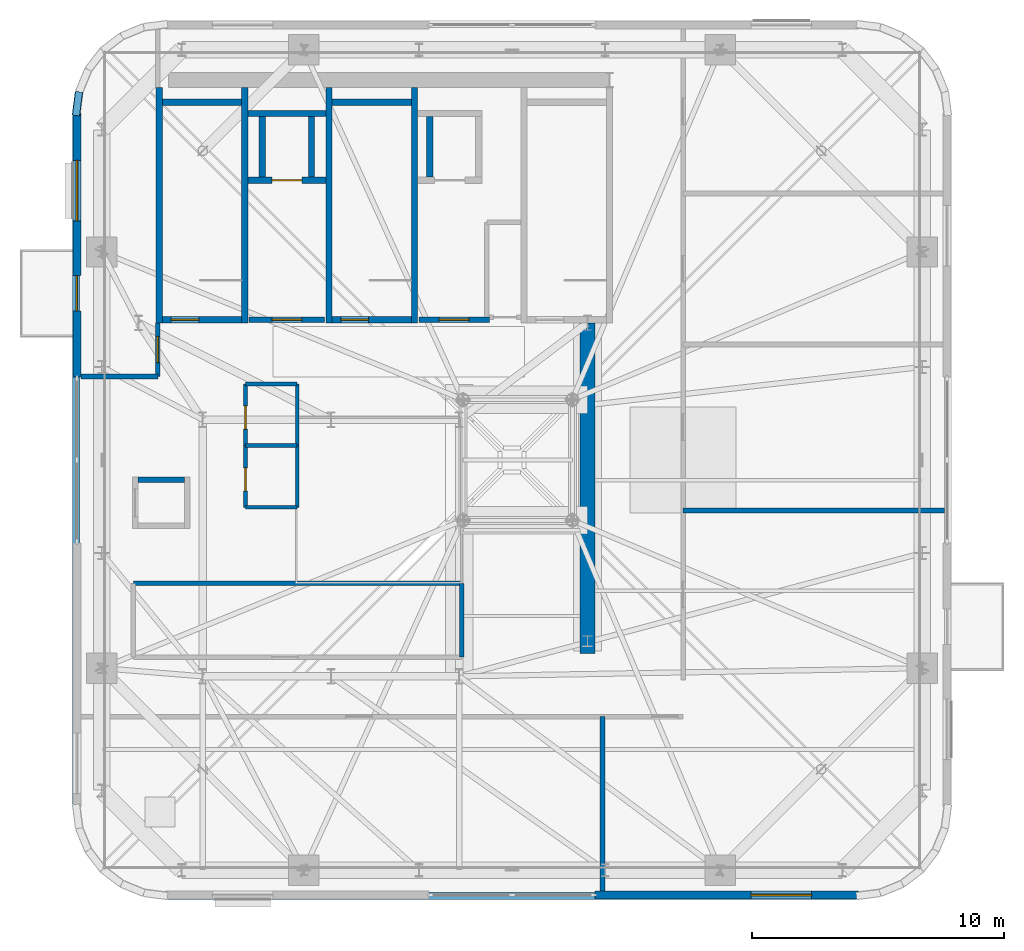
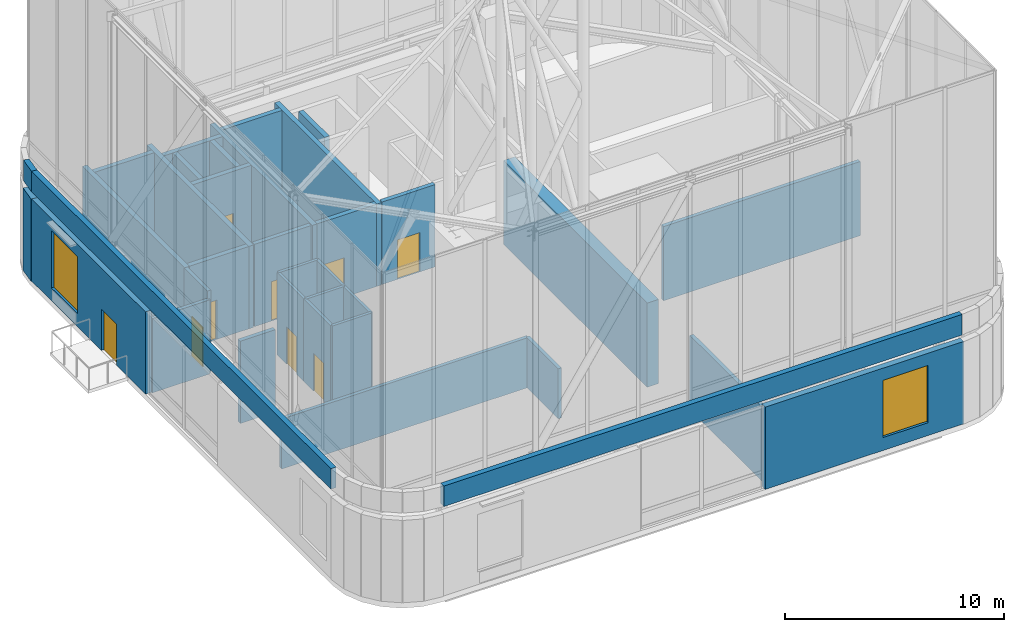
# One storey, part 12 of 15: 36 walls, 9 doors, 2 windows, 11 openings.
"""IFC4 building model written with IfcOpenShell, lengths in metres."""

from ifc_helpers import new_model, si_unit, direction, frame, frame_2d, origin, place, context, subcontext, project, spatial, rectangle, extrude, source, transform, mapped, material, layer, layer_set, type_object, element, fill, save


model = new_model("IFC4")

# Units and contexts
model_context = context("Model", 3, precision=1e-05, world=origin(), true_north=direction((0.0, 1.0)))
body_context = subcontext(model_context, "Body", "Model", "MODEL_VIEW")
ifc_project = project(units=[si_unit("LENGTHUNIT", "METRE"), si_unit("AREAUNIT", "SQUARE_METRE"), si_unit("VOLUMEUNIT", "CUBIC_METRE"), si_unit("PLANEANGLEUNIT", "RADIAN"), si_unit("MASSUNIT", "GRAM", prefix="KILO")], contexts=[model_context])

# Site, building, storey
site_placement = place(None, origin())
site = spatial("IfcSite", under=ifc_project, at=site_placement, CompositionType="ELEMENT")
building_placement = place(site_placement, origin())
building = spatial("IfcBuilding", under=site, at=building_placement, Name="Vardaveli Station Tower", CompositionType="ELEMENT")
storey_placement = place(building_placement, frame((0.0, 0.0, 301.14990234375)))
storey = spatial("IfcBuildingStorey", under=building, at=storey_placement, Name="L76", CompositionType="ELEMENT", Elevation=301.14990234375)

# Wall
ifc_material_1 = material(Name="Concrete C50/60", Category="concrete")
ifc_layer_1 = layer(ifc_material_1, 0.60009765625, Name="Concrete C50/60")
ifc_layer_set_1 = layer_set([ifc_layer_1], Name="Concrete C50/60")
wall_type_1 = type_object("IfcWallType", Name="WAL-CORE-600", PredefinedType="SHEAR", material=ifc_layer_set_1)
shared_shape_1 = source(origin(), body_context, "Body", "SweptSolid", [
    extrude(rectangle(XDim=13.14990234375, YDim=0.60009765625, at=frame_2d((6.574951171875, 0.0))), origin(), (0.0, 0.0, 1.0), 4.7001953125),
])
wall_1_placement = place(storey_placement, frame((46.5, 17.5, 0.0), z_axis=(0.0, 0.0, 1.0), x_axis=(0.0, 1.0, 0.0)))
element("IfcWall", 1, at=wall_1_placement, inside=storey, type_object=wall_type_1, Name="SW-L76-EAST2", PredefinedType="SHEAR", context=body_context, shape_type="MappedRepresentation", body=[
    mapped(shared_shape_1, transform((0.0, 0.0, 0.0), scale=1.0)),
])

# Wall, opening, window
ifc_material_2 = material(Name="Precast concrete C45/55", Category="concrete")
ifc_layer_2 = layer(ifc_material_2, 0.320068359375, Name="Precast concrete C45/55")
ifc_layer_set_2 = layer_set([ifc_layer_2], Name="Precast concrete C45/55")
wall_type_2 = type_object("IfcWallType", Name="WAL-EXT-STONE-320", PredefinedType="SOLIDWALL", material=ifc_layer_set_2)
shared_shape_2 = source(origin(), body_context, "Body", "SweptSolid", [
    extrude(rectangle(XDim=10.492919921875, YDim=0.320068359375, at=frame_2d((5.24658203125, 0.0))), origin(), (0.0, 0.0, 1.0), 4.60009765625),
])
wall_2_placement = place(storey_placement, frame((46.800048828125, 7.89990234375, 0.0), z_axis=(0.0, 0.0, 1.0), x_axis=(1.0, 0.0, 0.0)))
wall_2 = element("IfcWall", 2, at=wall_2_placement, inside=storey, type_object=wall_type_2, Name="EW-L76-S2", PredefinedType="SOLIDWALL", context=body_context, shape_type="MappedRepresentation", body=[
    mapped(shared_shape_2, transform((0.0, 0.0, 0.0), scale=1.0)),
])
shared_shape_3 = source(origin(), body_context, "Body", "SweptSolid", [
    extrude(rectangle(XDim=2.39990234375, YDim=3.199951171875, at=frame_2d((1.199951171875, 1.60009765625))), frame((0.0, 0.169921875, 0.0), z_axis=(0.0, -1.0, 0.0), x_axis=(1.0, 0.0, 0.0)), (0.0, 0.0, 1.0), 0.340087890625),
])
opening_1_placement = place(wall_2_placement, frame((6.20947265625, 0.0, 0.719970703125)))
opening_1 = element("IfcOpeningElement", 3, at=opening_1_placement, cuts=wall_2, Name="Opening W-06", PredefinedType="OPENING", context=body_context, shape_type="MappedRepresentation", body=[
    mapped(shared_shape_3, transform((0.0, 0.0, 0.0), scale=1.0)),
])
ifc_material_3 = material(Name="Low-iron tempered belvedere glass", Category="glass")
window_type = type_object("IfcWindowType", Name="WIN-OBS-2400x3200", PartitioningType="SINGLE_PANEL", PredefinedType="WINDOW", material=ifc_material_3)
shared_shape_4 = source(origin(), body_context, "Body", "SweptSolid", [
    extrude(rectangle(XDim=2.39990234375, YDim=3.199951171875, at=frame_2d((1.199951171875, 1.60009765625))), frame((0.0, 0.030029296875, 0.0), z_axis=(0.0, -1.0, 0.0), x_axis=(1.0, 0.0, 0.0)), (0.0, 0.0, 1.0), 0.06005859375),
])
window_1_placement = place(opening_1_placement, origin())
window_1 = element("IfcWindow", 4, at=window_1_placement, inside=storey, type_object=window_type, Name="WN-L76-S2", OverallHeight=3.199951171875, OverallWidth=2.39990234375, PartitioningType="SINGLE_PANEL", PredefinedType="WINDOW", context=body_context, shape_type="MappedRepresentation", body=[
    mapped(shared_shape_4, transform((0.0, 0.0, 0.0), scale=1.0)),
])
fill(opening_1, window_1)

# Wall, openings, door, window
wall_3_placement = place(storey_placement, frame((26.199951171875, 38.992919921875, 0.0), z_axis=(0.0, 0.0, 1.0), x_axis=(0.0, -1.0, 0.0)))
wall_3 = element("IfcWall", 5, at=wall_3_placement, inside=storey, type_object=wall_type_2, Name="EW-L76-W1", PredefinedType="SOLIDWALL", context=body_context, shape_type="MappedRepresentation", body=[
    mapped(shared_shape_2, transform((0.0, 0.0, 0.0), scale=1.0)),
])
shared_shape_5 = source(origin(), body_context, "Body", "SweptSolid", [
    extrude(rectangle(XDim=1.39990234375, YDim=2.300048828125, at=frame_2d((0.699951171875, 1.14990234375))), frame((0.0, 0.169921875, 0.0), z_axis=(0.0, -1.0, 0.0), x_axis=(1.0, 0.0, 0.0)), (0.0, 0.0, 1.0), 0.340087890625),
])
opening_2_placement = place(wall_3_placement, frame((6.464599609375, 0.0, 0.0)))
opening_2 = element("IfcOpeningElement", 6, at=opening_2_placement, cuts=wall_3, Name="Opening D-09", PredefinedType="OPENING", context=body_context, shape_type="MappedRepresentation", body=[
    mapped(shared_shape_5, transform((0.0, 0.0, 0.0), scale=1.0)),
])
opening_3_placement = place(wall_3_placement, frame((1.883544921875, 0.0, 0.719970703125)))
opening_3 = element("IfcOpeningElement", 7, at=opening_3_placement, cuts=wall_3, Name="Opening W-06", PredefinedType="OPENING", context=body_context, shape_type="MappedRepresentation", body=[
    mapped(shared_shape_3, transform((0.0, 0.0, 0.0), scale=1.0)),
])
ifc_material_4 = material(Name="Thermally broken aluminium glass", Category="aluminium")
door_type_1 = type_object("IfcDoorType", Name="DR-LOG-1400x2300", OperationType="DOUBLE_DOOR_SLIDING", PredefinedType="DOOR", material=ifc_material_4)
shared_shape_6 = source(origin(), body_context, "Body", "SweptSolid", [
    extrude(rectangle(XDim=1.39990234375, YDim=2.300048828125, at=frame_2d((0.699951171875, 1.14990234375))), frame((0.0, 0.02490234375, 0.0), z_axis=(0.0, -1.0, 0.0), x_axis=(1.0, 0.0, 0.0)), (0.0, 0.0, 1.0), 0.050048828125),
])
door_1_placement = place(opening_2_placement, frame((1.39990234375, 0.0, 0.0), z_axis=(0.0, 0.0, 1.0), x_axis=(-1.0, 0.0, 0.0)))
door_1 = element("IfcDoor", 8, at=door_1_placement, inside=storey, type_object=door_type_1, Name="DLG-L76-W", OperationType="DOUBLE_DOOR_SLIDING", OverallHeight=2.300048828125, OverallWidth=1.39990234375, PredefinedType="DOOR", context=body_context, shape_type="MappedRepresentation", body=[
    mapped(shared_shape_6, transform((0.0, 0.0, 0.0), scale=1.0)),
])
fill(opening_2, door_1)
window_2_placement = place(opening_3_placement, origin())
window_2 = element("IfcWindow", 9, at=window_2_placement, inside=storey, type_object=window_type, Name="WN-L76-W1", OverallHeight=3.199951171875, OverallWidth=2.39990234375, PartitioningType="SINGLE_PANEL", PredefinedType="WINDOW", context=body_context, shape_type="MappedRepresentation", body=[
    mapped(shared_shape_4, transform((0.0, 0.0, 0.0), scale=1.0)),
])
fill(opening_3, window_2)

# Walls
shared_shape_7 = source(origin(), body_context, "Body", "SweptSolid", [
    extrude(rectangle(XDim=0.952392578125, YDim=0.320068359375, at=frame_2d((0.47607421875, 0.0))), origin(), (0.0, 0.0, 1.0), 4.60009765625),
])
wall_4_placement = place(storey_placement, frame((26.286865234375, 39.83837890625, 0.0), z_axis=(0.0, 0.0, 1.0), x_axis=(-0.127410057845, -0.991850128376, 0.0)))
element("IfcWall", 10, at=wall_4_placement, inside=storey, type_object=wall_type_2, Name="EW-L76-CR4-6", PredefinedType="SOLIDWALL", context=body_context, shape_type="MappedRepresentation", body=[
    mapped(shared_shape_7, transform((0.0, 0.0, 0.0), scale=1.0)),
])
ifc_layer_3 = layer(ifc_material_2, 0.280029296875, Name="Precast concrete C45/55")
ifc_layer_set_3 = layer_set([ifc_layer_3], Name="Precast concrete C45/55")
wall_type_3 = type_object("IfcWallType", Name="WAL-PARAPET-280", PredefinedType="SOLIDWALL", material=ifc_layer_set_3)
shared_shape_8 = source(origin(), body_context, "Body", "SweptSolid", [
    extrude(rectangle(XDim=0.952392578125, YDim=0.280029296875, at=frame_2d((0.47607421875, 0.0))), origin(), (0.0, 0.0, 1.0), 1.150146484375),
])
wall_5_placement = place(storey_placement, frame((26.286865234375, 39.83837890625, 5.0), z_axis=(0.0, 0.0, 1.0), x_axis=(-0.127410057845, -0.991850128376, 0.0)))
element("IfcWall", 11, at=wall_5_placement, inside=storey, type_object=wall_type_3, Name="PW-L76-COL-27", PredefinedType="SOLIDWALL", context=body_context, shape_type="MappedRepresentation", body=[
    mapped(shared_shape_8, transform((0.0, 0.0, 0.0), scale=1.0)),
])
shared_shape_9 = source(origin(), body_context, "Body", "SweptSolid", [
    extrude(rectangle(XDim=27.3876953125, YDim=0.280029296875, at=frame_2d((13.69384765625, 0.0))), origin(), (0.0, 0.0, 1.0), 1.150146484375),
])
for number, where, z_axis, x_axis, name in (
    (12, (29.80615234375, 7.865478515625, 5.0), (0.0, 0.0, 1.0), (1.0, 0.0, 0.0), "PW-L76-COL-07"),
    (13, (26.16552734375, 38.893798828125, 5.0), (0.0, 0.0, 1.0), (0.0, -1.0, 0.0), "PW-L76-COL-28"),
):
    element("IfcWall", number, at=place(storey_placement, frame(where, z_axis=z_axis, x_axis=x_axis)), inside=storey, type_object=wall_type_3, Name=name, PredefinedType="SOLIDWALL", context=body_context, shape_type="MappedRepresentation", body=[
        mapped(shared_shape_9, transform((0.0, 0.0, 0.0), scale=1.0)),
    ])
ifc_material_5 = material(Name="Concrete C40/50", Category="concrete")
ifc_layer_4 = layer(ifc_material_5, 0.25, Name="Concrete C40/50")
ifc_layer_set_4 = layer_set([ifc_layer_4], Name="Concrete C40/50")
wall_type_4 = type_object("IfcWallType", Name="WAL-SHAFT-250", PredefinedType="SOLIDWALL", material=ifc_layer_set_4)
shared_shape_10 = source(origin(), body_context, "Body", "SweptSolid", [
    extrude(rectangle(XDim=9.35009765625, YDim=0.25, at=frame_2d((4.675048828125, 0.0))), origin(), (0.0, 0.0, 1.0), 4.60009765625),
])
for number, where, z_axis, x_axis, name in (
    (14, (29.47509765625, 30.64990234375, 0.0), (0.0, 0.0, 1.0), (0.0, 1.0, 0.0), "W-L76-ST-1W"),
    (15, (32.875, 30.64990234375, 0.0), (0.0, 0.0, 1.0), (0.0, 1.0, 0.0), "W-L76-ST-1E"),
    (16, (36.22509765625, 30.64990234375, 0.0), (0.0, 0.0, 1.0), (0.0, 1.0, 0.0), "W-L76-ST-2W"),
    (17, (39.625, 30.64990234375, 0.0), (0.0, 0.0, 1.0), (0.0, 1.0, 0.0), "W-L76-ST-2E"),
):
    element("IfcWall", number, at=place(storey_placement, frame(where, z_axis=z_axis, x_axis=x_axis)), inside=storey, type_object=wall_type_4, Name=name, PredefinedType="SOLIDWALL", context=body_context, shape_type="MappedRepresentation", body=[
        mapped(shared_shape_10, transform((0.0, 0.0, 0.0), scale=1.0)),
    ])
shared_shape_11 = source(origin(), body_context, "Body", "SweptSolid", [
    extrude(rectangle(XDim=3.14990234375, YDim=0.25, at=frame_2d((1.574951171875, 0.0))), origin(), (0.0, 0.0, 1.0), 4.60009765625),
])
wall_6_placement = place(storey_placement, frame((29.60009765625, 39.425048828125, 0.0), z_axis=(0.0, 0.0, 1.0), x_axis=(1.0, 0.0, 0.0)))
element("IfcWall", 18, at=wall_6_placement, inside=storey, type_object=wall_type_4, Name="W-L76-ST-1N", PredefinedType="SOLIDWALL", context=body_context, shape_type="MappedRepresentation", body=[
    mapped(shared_shape_11, transform((0.0, 0.0, 0.0), scale=1.0)),
])

# Wall, opening, door
wall_7_placement = place(storey_placement, frame((29.60009765625, 30.77490234375, 0.0), z_axis=(0.0, 0.0, 1.0), x_axis=(1.0, 0.0, 0.0)))
wall_7 = element("IfcWall", 19, at=wall_7_placement, inside=storey, type_object=wall_type_4, Name="W-L76-ST-1S", PredefinedType="SOLIDWALL", context=body_context, shape_type="MappedRepresentation", body=[
    mapped(shared_shape_11, transform((0.0, 0.0, 0.0), scale=1.0)),
])
shared_shape_12 = source(origin(), body_context, "Body", "SweptSolid", [
    extrude(rectangle(XDim=1.10009765625, YDim=2.199951171875, at=frame_2d((0.550048828125, 1.10009765625))), frame((0.0, 0.135009765625, 0.0), z_axis=(0.0, -1.0, 0.0), x_axis=(1.0, 0.0, 0.0)), (0.0, 0.0, 1.0), 0.27001953125),
])
opening_4_placement = place(wall_7_placement, frame((0.35009765625, 0.0, 0.0)))
opening_4 = element("IfcOpeningElement", 20, at=opening_4_placement, cuts=wall_7, Name="Opening D-04", PredefinedType="OPENING", context=body_context, shape_type="MappedRepresentation", body=[
    mapped(shared_shape_12, transform((0.0, 0.0, 0.0), scale=1.0)),
])
ifc_material_6 = material(Name="Steel smokeproof fire doorset", Category="steel")
door_type_2 = type_object("IfcDoorType", Name="DR-ST-1100x2200", OperationType="NOTDEFINED", PredefinedType="DOOR", material=ifc_material_6)
shared_shape_13 = source(origin(), body_context, "Body", "SweptSolid", [
    extrude(rectangle(XDim=1.10009765625, YDim=2.199951171875, at=frame_2d((0.550048828125, 1.10009765625))), frame((0.0, 0.02490234375, 0.0), z_axis=(0.0, -1.0, 0.0), x_axis=(1.0, 0.0, 0.0)), (0.0, 0.0, 1.0), 0.050048828125),
])
door_2_placement = place(opening_4_placement, origin())
door_2 = element("IfcDoor", 21, at=door_2_placement, inside=storey, type_object=door_type_2, Name="DST-1-L76", OperationType="SINGLE_SWING_LEFT", OverallHeight=2.199951171875, OverallWidth=1.10009765625, PredefinedType="DOOR", context=body_context, shape_type="MappedRepresentation", body=[
    mapped(shared_shape_13, transform((0.0, 0.0, 0.0), scale=1.0)),
])
fill(opening_4, door_2)

# Wall
wall_8_placement = place(storey_placement, frame((36.35009765625, 39.425048828125, 0.0), z_axis=(0.0, 0.0, 1.0), x_axis=(1.0, 0.0, 0.0)))
element("IfcWall", 22, at=wall_8_placement, inside=storey, type_object=wall_type_4, Name="W-L76-ST-2N", PredefinedType="SOLIDWALL", context=body_context, shape_type="MappedRepresentation", body=[
    mapped(shared_shape_11, transform((0.0, 0.0, 0.0), scale=1.0)),
])

# Wall, opening, door
wall_9_placement = place(storey_placement, frame((36.35009765625, 30.77490234375, 0.0), z_axis=(0.0, 0.0, 1.0), x_axis=(1.0, 0.0, 0.0)))
wall_9 = element("IfcWall", 23, at=wall_9_placement, inside=storey, type_object=wall_type_4, Name="W-L76-ST-2S", PredefinedType="SOLIDWALL", context=body_context, shape_type="MappedRepresentation", body=[
    mapped(shared_shape_11, transform((0.0, 0.0, 0.0), scale=1.0)),
])
opening_5_placement = place(wall_9_placement, frame((0.35009765625, 0.0, 0.0)))
opening_5 = element("IfcOpeningElement", 24, at=opening_5_placement, cuts=wall_9, Name="Opening D-04", PredefinedType="OPENING", context=body_context, shape_type="MappedRepresentation", body=[
    mapped(shared_shape_12, transform((0.0, 0.0, 0.0), scale=1.0)),
])
door_3_placement = place(opening_5_placement, origin())
door_3 = element("IfcDoor", 25, at=door_3_placement, inside=storey, type_object=door_type_2, Name="DST-2-L76", OperationType="SINGLE_SWING_LEFT", OverallHeight=2.199951171875, OverallWidth=1.10009765625, PredefinedType="DOOR", context=body_context, shape_type="MappedRepresentation", body=[
    mapped(shared_shape_13, transform((0.0, 0.0, 0.0), scale=1.0)),
])
fill(opening_5, door_3)

ifc_layer_5 = layer(ifc_material_5, 0.219970703125, Name="Concrete C40/50")
ifc_layer_set_5 = layer_set([ifc_layer_5], Name="Concrete C40/50")
wall_type_5 = type_object("IfcWallType", Name="WAL-FFLOBBY-220", PredefinedType="SOLIDWALL", material=ifc_layer_set_5)
shared_shape_14 = source(origin(), body_context, "Body", "SweptSolid", [
    extrude(rectangle(XDim=3.0, YDim=0.219970703125, at=frame_2d((1.5, 0.0))), origin(), (0.0, 0.0, 1.0), 4.60009765625),
])
wall_10_placement = place(storey_placement, frame((33.050048828125, 30.780029296875, 0.0), z_axis=(0.0, 0.0, 1.0), x_axis=(1.0, 0.0, 0.0)))
wall_10 = element("IfcWall", 26, at=wall_10_placement, inside=storey, type_object=wall_type_5, Name="W-L76-FFL1S", PredefinedType="SOLIDWALL", context=body_context, shape_type="MappedRepresentation", body=[
    mapped(shared_shape_14, transform((0.0, 0.0, 0.0), scale=1.0)),
])
shared_shape_15 = source(origin(), body_context, "Body", "SweptSolid", [
    extrude(rectangle(XDim=1.199951171875, YDim=2.199951171875, at=frame_2d((0.60009765625, 1.10009765625))), frame((0.0, 0.1201171875, 0.0), z_axis=(0.0, -1.0, 0.0), x_axis=(1.0, 0.0, 0.0)), (0.0, 0.0, 1.0), 0.239990234375),
])
opening_6_placement = place(wall_10_placement, frame((0.89990234375, 0.0, 0.0)))
opening_6 = element("IfcOpeningElement", 27, at=opening_6_placement, cuts=wall_10, Name="Opening D-03", PredefinedType="OPENING", context=body_context, shape_type="MappedRepresentation", body=[
    mapped(shared_shape_15, transform((0.0, 0.0, 0.0), scale=1.0)),
])
door_type_3 = type_object("IfcDoorType", Name="DR-FFL-1200x2200", OperationType="NOTDEFINED", PredefinedType="DOOR", material=ifc_material_6)
shared_shape_16 = source(origin(), body_context, "Body", "SweptSolid", [
    extrude(rectangle(XDim=1.199951171875, YDim=2.199951171875, at=frame_2d((0.60009765625, 1.10009765625))), frame((0.0, 0.02490234375, 0.0), z_axis=(0.0, -1.0, 0.0), x_axis=(1.0, 0.0, 0.0)), (0.0, 0.0, 1.0), 0.050048828125),
])
door_4_placement = place(opening_6_placement, origin())
door_4 = element("IfcDoor", 28, at=door_4_placement, inside=storey, type_object=door_type_3, Name="DFFL1-L76", OperationType="SINGLE_SWING_LEFT", OverallHeight=2.199951171875, OverallWidth=1.199951171875, PredefinedType="DOOR", context=body_context, shape_type="MappedRepresentation", body=[
    mapped(shared_shape_16, transform((0.0, 0.0, 0.0), scale=1.0)),
])
fill(opening_6, door_4)

shared_shape_17 = source(origin(), body_context, "Body", "SweptSolid", [
    extrude(rectangle(XDim=2.800048828125, YDim=0.219970703125, at=frame_2d((1.39990234375, 0.0))), origin(), (0.0, 0.0, 1.0), 4.60009765625),
])
wall_11_placement = place(storey_placement, frame((39.800048828125, 30.780029296875, 0.0), z_axis=(0.0, 0.0, 1.0), x_axis=(1.0, 0.0, 0.0)))
wall_11 = element("IfcWall", 29, at=wall_11_placement, inside=storey, type_object=wall_type_5, Name="W-L76-FFL2S", PredefinedType="SOLIDWALL", context=body_context, shape_type="MappedRepresentation", body=[
    mapped(shared_shape_17, transform((0.0, 0.0, 0.0), scale=1.0)),
])
opening_7_placement = place(wall_11_placement, frame((0.800048828125, 0.0, 0.0)))
opening_7 = element("IfcOpeningElement", 30, at=opening_7_placement, cuts=wall_11, Name="Opening D-03", PredefinedType="OPENING", context=body_context, shape_type="MappedRepresentation", body=[
    mapped(shared_shape_15, transform((0.0, 0.0, 0.0), scale=1.0)),
])
door_5_placement = place(opening_7_placement, origin())
door_5 = element("IfcDoor", 31, at=door_5_placement, inside=storey, type_object=door_type_3, Name="DFFL2-L76", OperationType="SINGLE_SWING_RIGHT", OverallHeight=2.199951171875, OverallWidth=1.199951171875, PredefinedType="DOOR", context=body_context, shape_type="MappedRepresentation", body=[
    mapped(shared_shape_16, transform((0.0, 0.0, 0.0), scale=1.0)),
])
fill(opening_7, door_5)

shared_shape_18 = source(origin(), body_context, "Body", "SweptSolid", [
    extrude(rectangle(XDim=3.10009765625, YDim=0.25, at=frame_2d((1.550048828125, 0.0))), origin(), (0.0, 0.0, 1.0), 4.60009765625),
])
wall_12_placement = place(storey_placement, frame((33.0, 36.324951171875, 0.0), z_axis=(0.0, 0.0, 1.0), x_axis=(1.0, 0.0, 0.0)))
wall_12 = element("IfcWall", 32, at=wall_12_placement, inside=storey, type_object=wall_type_4, Name="SHW-FFL-01-L76-S", PredefinedType="SOLIDWALL", context=body_context, shape_type="MappedRepresentation", body=[
    mapped(shared_shape_18, transform((0.0, 0.0, 0.0), scale=1.0)),
])
shared_shape_19 = source(origin(), body_context, "Body", "SweptSolid", [
    extrude(rectangle(XDim=1.199951171875, YDim=2.25, at=frame_2d((0.60009765625, 1.125))), frame((0.0, 0.135009765625, 0.0), z_axis=(0.0, -1.0, 0.0), x_axis=(1.0, 0.0, 0.0)), (0.0, 0.0, 1.0), 0.27001953125),
])
opening_8_placement = place(wall_12_placement, frame((0.949951171875, 0.0, 0.0)))
opening_8 = element("IfcOpeningElement", 33, at=opening_8_placement, cuts=wall_12, Name="Opening LD-02", PredefinedType="OPENING", context=body_context, shape_type="MappedRepresentation", body=[
    mapped(shared_shape_19, transform((0.0, 0.0, 0.0), scale=1.0)),
])
ifc_material_7 = material(Name="Brushed stainless steel", Category="steel")
door_type_4 = type_object("IfcDoorType", Name="DR-LD-1200x2250", OperationType="DOUBLE_DOOR_SLIDING", PredefinedType="DOOR", material=ifc_material_7)
shared_shape_20 = source(origin(), body_context, "Body", "SweptSolid", [
    extrude(rectangle(XDim=1.199951171875, YDim=2.25, at=frame_2d((0.60009765625, 1.125))), frame((0.0, 0.02490234375, 0.0), z_axis=(0.0, -1.0, 0.0), x_axis=(1.0, 0.0, 0.0)), (0.0, 0.0, 1.0), 0.050048828125),
])
door_6_placement = place(opening_8_placement, origin())
door_6 = element("IfcDoor", 34, at=door_6_placement, inside=storey, type_object=door_type_4, Name="LD-FFL-01-L76", OperationType="DOUBLE_DOOR_SLIDING", OverallHeight=2.25, OverallWidth=1.199951171875, PredefinedType="DOOR", context=body_context, shape_type="MappedRepresentation", body=[
    mapped(shared_shape_20, transform((0.0, 0.0, 0.0), scale=1.0)),
])
fill(opening_8, door_6)

# Walls
wall_13_placement = place(storey_placement, frame((33.0, 38.97509765625, 0.0), z_axis=(0.0, 0.0, 1.0), x_axis=(1.0, 0.0, 0.0)))
element("IfcWall", 35, at=wall_13_placement, inside=storey, type_object=wall_type_4, Name="SHW-FFL-01-L76-N", PredefinedType="SOLIDWALL", context=body_context, shape_type="MappedRepresentation", body=[
    mapped(shared_shape_18, transform((0.0, 0.0, 0.0), scale=1.0)),
])
shared_shape_21 = source(origin(), body_context, "Body", "SweptSolid", [
    extrude(rectangle(XDim=2.400146484375, YDim=0.25, at=frame_2d((1.2001953125, 0.0))), origin(), (0.0, 0.0, 1.0), 4.60009765625),
])
for number, where, z_axis, x_axis, name in (
    (36, (33.574951171875, 36.449951171875, 0.0), (0.0, 0.0, 1.0), (0.0, 1.0, 0.0), "SHW-FFL-01-L76-W"),
    (37, (35.52490234375, 36.449951171875, 0.0), (0.0, 0.0, 1.0), (0.0, 1.0, 0.0), "SHW-FFL-01-L76-E"),
    (38, (40.22509765625, 36.449951171875, 0.0), (0.0, 0.0, 1.0), (0.0, 1.0, 0.0), "SHW-FFL-02-L76-W"),
):
    element("IfcWall", number, at=place(storey_placement, frame(where, z_axis=z_axis, x_axis=x_axis)), inside=storey, type_object=wall_type_4, Name=name, PredefinedType="SOLIDWALL", context=body_context, shape_type="MappedRepresentation", body=[
        mapped(shared_shape_21, transform((0.0, 0.0, 0.0), scale=1.0)),
    ])
shared_shape_22 = source(origin(), body_context, "Body", "SweptSolid", [
    extrude(rectangle(XDim=1.85009765625, YDim=0.219970703125, at=frame_2d((0.925048828125, 0.0))), origin(), (0.0, 0.0, 1.0), 4.60009765625),
])
wall_14_placement = place(storey_placement, frame((28.625, 24.409912109375, 0.0), z_axis=(0.0, 0.0, 1.0), x_axis=(1.0, 0.0, 0.0)))
element("IfcWall", 39, at=wall_14_placement, inside=storey, type_object=wall_type_5, Name="SHW-CRN-01-L76-N", PredefinedType="SOLIDWALL", context=body_context, shape_type="MappedRepresentation", body=[
    mapped(shared_shape_22, transform((0.0, 0.0, 0.0), scale=1.0)),
])

# Wall, opening, door
ifc_material_8 = material(Name="Fire-rated gypsum stud partition")
ifc_layer_6 = layer(ifc_material_8, 0.179931640625, Name="Fire-rated gypsum stud partition")
ifc_layer_set_6 = layer_set([ifc_layer_6], Name="Fire-rated gypsum stud partition")
wall_type_6 = type_object("IfcWallType", Name="WAL-CORR-180", PredefinedType="PARTITIONING", material=ifc_layer_set_6)
shared_shape_23 = source(origin(), body_context, "Body", "SweptSolid", [
    extrude(rectangle(XDim=2.1298828125, YDim=0.179931640625, at=frame_2d((1.06494140625, 0.0))), origin(), (0.0, 0.0, 1.0), 4.60009765625),
])
wall_15_placement = place(storey_placement, frame((29.419921875, 28.52001953125, 0.0), z_axis=(0.0, 0.0, 1.0), x_axis=(0.0, 1.0, 0.0)))
wall_15 = element("IfcWall", 40, at=wall_15_placement, inside=storey, type_object=wall_type_6, Name="W-L76-OBNW-E-P1", PredefinedType="PARTITIONING", context=body_context, shape_type="MappedRepresentation", body=[
    mapped(shared_shape_23, transform((0.0, 0.0, 0.0), scale=1.0)),
])
shared_shape_24 = source(origin(), body_context, "Body", "SweptSolid", [
    extrude(rectangle(XDim=1.050048828125, YDim=2.199951171875, at=frame_2d((0.52490234375, 1.10009765625))), frame((0.0, 0.10009765625, 0.0), z_axis=(0.0, -1.0, 0.0), x_axis=(1.0, 0.0, 0.0)), (0.0, 0.0, 1.0), 0.199951171875),
])
opening_9_placement = place(wall_15_placement, frame((0.550048828125, 0.0, 0.0)))
opening_9 = element("IfcOpeningElement", 41, at=opening_9_placement, cuts=wall_15, Name="Opening D-05", PredefinedType="OPENING", context=body_context, shape_type="MappedRepresentation", body=[
    mapped(shared_shape_24, transform((0.0, 0.0, 0.0), scale=1.0)),
])
ifc_material_9 = material(Name="Walnut veneer acoustic fire door")
door_type_5 = type_object("IfcDoorType", Name="DR-SUITE-1050x2200", OperationType="NOTDEFINED", PredefinedType="DOOR", material=ifc_material_9)
shared_shape_25 = source(origin(), body_context, "Body", "SweptSolid", [
    extrude(rectangle(XDim=1.050048828125, YDim=2.199951171875, at=frame_2d((0.52490234375, 1.10009765625))), frame((0.0, 0.02490234375, 0.0), z_axis=(0.0, -1.0, 0.0), x_axis=(1.0, 0.0, 0.0)), (0.0, 0.0, 1.0), 0.050048828125),
])
door_7_placement = place(opening_9_placement, origin())
door_7 = element("IfcDoor", 42, at=door_7_placement, inside=storey, type_object=door_type_5, Name="D-L76-OBNW", OperationType="SINGLE_SWING_LEFT", OverallHeight=2.199951171875, OverallWidth=1.050048828125, PredefinedType="DOOR", context=body_context, shape_type="MappedRepresentation", body=[
    mapped(shared_shape_25, transform((0.0, 0.0, 0.0), scale=1.0)),
])
fill(opening_9, door_7)

# Wall
shared_shape_26 = source(origin(), body_context, "Body", "SweptSolid", [
    extrude(rectangle(XDim=13.050048828125, YDim=0.179931640625, at=frame_2d((6.52490234375, 0.0))), origin(), (0.0, 0.0, 1.0), 2.7919921875),
])
wall_16_placement = place(storey_placement, frame((28.449951171875, 20.300048828125, 0.0), z_axis=(0.0, 0.0, 1.0), x_axis=(1.0, 0.0, 0.0)))
element("IfcWall", 43, at=wall_16_placement, inside=storey, type_object=wall_type_6, Name="W-L76-OBSA-N", PredefinedType="PARTITIONING", context=body_context, shape_type="MappedRepresentation", body=[
    mapped(shared_shape_26, transform((0.0, 0.0, 0.0), scale=1.0)),
])

# Wall, opening, door
ifc_material_10 = material(Name="Moisture-resistant stud partition")
ifc_layer_7 = layer(ifc_material_10, 0.14990234375, Name="Moisture-resistant stud partition")
ifc_layer_set_7 = layer_set([ifc_layer_7], Name="Moisture-resistant stud partition")
wall_type_7 = type_object("IfcWallType", Name="WAL-WET-150", PredefinedType="PARTITIONING", material=ifc_layer_set_7)
shared_shape_27 = source(origin(), body_context, "Body", "SweptSolid", [
    extrude(rectangle(XDim=2.4599609375, YDim=0.14990234375, at=frame_2d((1.22998046875, 0.0))), origin(), (0.0, 0.0, 1.0), 4.60009765625),
])
wall_17_placement = place(storey_placement, frame((32.89990234375, 23.320068359375, 0.0), z_axis=(0.0, 0.0, 1.0), x_axis=(0.0, 1.0, 0.0)))
wall_17 = element("IfcWall", 44, at=wall_17_placement, inside=storey, type_object=wall_type_7, Name="W-L76-WCF-W", PredefinedType="PARTITIONING", context=body_context, shape_type="MappedRepresentation", body=[
    mapped(shared_shape_27, transform((0.0, 0.0, 0.0), scale=1.0)),
])
shared_shape_28 = source(origin(), body_context, "Body", "SweptSolid", [
    extrude(rectangle(XDim=0.919921875, YDim=2.10009765625, at=frame_2d((0.4599609375, 1.050048828125))), frame((0.0, 0.0849609375, 0.0), z_axis=(0.0, -1.0, 0.0), x_axis=(1.0, 0.0, 0.0)), (0.0, 0.0, 1.0), 0.169921875),
])
opening_10_placement = place(wall_17_placement, frame((0.64990234375, 0.0, 0.0)))
opening_10 = element("IfcOpeningElement", 45, at=opening_10_placement, cuts=wall_17, Name="Opening D-07", PredefinedType="OPENING", context=body_context, shape_type="MappedRepresentation", body=[
    mapped(shared_shape_28, transform((0.0, 0.0, 0.0), scale=1.0)),
])
ifc_material_11 = material(Name="Moisture-resistant hardwood door", Category="wood")
door_type_6 = type_object("IfcDoorType", Name="DR-WC-920x2100", OperationType="NOTDEFINED", PredefinedType="DOOR", material=ifc_material_11)
shared_shape_29 = source(origin(), body_context, "Body", "SweptSolid", [
    extrude(rectangle(XDim=0.919921875, YDim=2.10009765625, at=frame_2d((0.4599609375, 1.050048828125))), frame((0.0, 0.02490234375, 0.0), z_axis=(0.0, -1.0, 0.0), x_axis=(1.0, 0.0, 0.0)), (0.0, 0.0, 1.0), 0.050048828125),
])
door_8_placement = place(opening_10_placement, origin())
door_8 = element("IfcDoor", 46, at=door_8_placement, inside=storey, type_object=door_type_6, Name="D-L76-WCF", OperationType="SINGLE_SWING_RIGHT", OverallHeight=2.10009765625, OverallWidth=0.919921875, PredefinedType="DOOR", context=body_context, shape_type="MappedRepresentation", body=[
    mapped(shared_shape_29, transform((0.0, 0.0, 0.0), scale=1.0)),
])
fill(opening_10, door_8)

# Wall
wall_18_placement = place(storey_placement, frame((34.9599609375, 23.320068359375, 0.0), z_axis=(0.0, 0.0, 1.0), x_axis=(0.0, 1.0, 0.0)))
element("IfcWall", 47, at=wall_18_placement, inside=storey, type_object=wall_type_7, Name="W-L76-WCF-E", PredefinedType="PARTITIONING", context=body_context, shape_type="MappedRepresentation", body=[
    mapped(shared_shape_27, transform((0.0, 0.0, 0.0), scale=1.0)),
])

# Wall, opening, door
shared_shape_30 = source(origin(), body_context, "Body", "SweptSolid", [
    extrude(rectangle(XDim=2.43994140625, YDim=0.14990234375, at=frame_2d((1.219970703125, 0.0))), origin(), (0.0, 0.0, 1.0), 4.60009765625),
])
wall_19_placement = place(storey_placement, frame((32.89990234375, 25.780029296875, 0.0), z_axis=(0.0, 0.0, 1.0), x_axis=(0.0, 1.0, 0.0)))
wall_19 = element("IfcWall", 48, at=wall_19_placement, inside=storey, type_object=wall_type_7, Name="W-L76-WCM-W", PredefinedType="PARTITIONING", context=body_context, shape_type="MappedRepresentation", body=[
    mapped(shared_shape_30, transform((0.0, 0.0, 0.0), scale=1.0)),
])
opening_11_placement = place(wall_19_placement, frame((0.64990234375, 0.0, 0.0)))
opening_11 = element("IfcOpeningElement", 49, at=opening_11_placement, cuts=wall_19, Name="Opening D-07", PredefinedType="OPENING", context=body_context, shape_type="MappedRepresentation", body=[
    mapped(shared_shape_28, transform((0.0, 0.0, 0.0), scale=1.0)),
])
door_9_placement = place(opening_11_placement, origin())
door_9 = element("IfcDoor", 50, at=door_9_placement, inside=storey, type_object=door_type_6, Name="D-L76-WCM", OperationType="SINGLE_SWING_LEFT", OverallHeight=2.10009765625, OverallWidth=0.919921875, PredefinedType="DOOR", context=body_context, shape_type="MappedRepresentation", body=[
    mapped(shared_shape_29, transform((0.0, 0.0, 0.0), scale=1.0)),
])
fill(opening_11, door_9)

# Walls
wall_20_placement = place(storey_placement, frame((34.9599609375, 25.780029296875, 0.0), z_axis=(0.0, 0.0, 1.0), x_axis=(0.0, 1.0, 0.0)))
element("IfcWall", 51, at=wall_20_placement, inside=storey, type_object=wall_type_7, Name="W-L76-WCM-E", PredefinedType="PARTITIONING", context=body_context, shape_type="MappedRepresentation", body=[
    mapped(shared_shape_30, transform((0.0, 0.0, 0.0), scale=1.0)),
])
ifc_material_12 = material(Name="Acoustic twin-stud gypsum partition")
ifc_layer_8 = layer(ifc_material_12, 0.199951171875, Name="Acoustic twin-stud gypsum partition")
ifc_layer_set_8 = layer_set([ifc_layer_8], Name="Acoustic twin-stud gypsum partition")
wall_type_8 = type_object("IfcWallType", Name="WAL-PARTY-200", PredefinedType="PARTITIONING", material=ifc_layer_set_8)
shared_shape_31 = source(origin(), body_context, "Body", "SweptSolid", [
    extrude(rectangle(XDim=10.392333984375, YDim=0.199951171875, at=frame_2d((5.1962890625, 0.0))), origin(), (0.0, 0.0, 1.0), 4.14208984375),
])
wall_21_placement = place(storey_placement, frame((50.300048828125, 23.199951171875, 0.0), z_axis=(0.0, 0.0, 1.0), x_axis=(1.0, 0.0, 0.0)))
element("IfcWall", 52, at=wall_21_placement, inside=storey, type_object=wall_type_8, Name="W-L76-EM1", PredefinedType="PARTITIONING", context=body_context, shape_type="MappedRepresentation", body=[
    mapped(shared_shape_31, transform((0.0, 0.0, 0.0), scale=1.0)),
])
shared_shape_32 = source(origin(), body_context, "Body", "SweptSolid", [
    extrude(rectangle(XDim=6.93798828125, YDim=0.199951171875, at=frame_2d((3.468994140625, 0.0))), origin(), (0.0, 0.0, 1.0), 4.14208984375),
])
wall_22_placement = place(storey_placement, frame((47.10009765625, 8.06201171875, 0.0), z_axis=(0.0, 0.0, 1.0), x_axis=(0.0, 1.0, 0.0)))
element("IfcWall", 53, at=wall_22_placement, inside=storey, type_object=wall_type_8, Name="W-L76-SM1", PredefinedType="PARTITIONING", context=body_context, shape_type="MappedRepresentation", body=[
    mapped(shared_shape_32, transform((0.0, 0.0, 0.0), scale=1.0)),
])
shared_shape_33 = source(origin(), body_context, "Body", "SweptSolid", [
    extrude(rectangle(XDim=3.057861328125, YDim=0.179931640625, at=frame_2d((1.52880859375, 0.0))), origin(), (0.0, 0.0, 1.0), 4.14208984375),
])
wall_23_placement = place(storey_placement, frame((26.362060546875, 28.52001953125, 0.0), z_axis=(0.0, 0.0, 1.0), x_axis=(1.0, 0.0, 0.0)))
element("IfcWall", 54, at=wall_23_placement, inside=storey, type_object=wall_type_6, Name="W-L76-OBNW-S", PredefinedType="PARTITIONING", context=body_context, shape_type="MappedRepresentation", body=[
    mapped(shared_shape_33, transform((0.0, 0.0, 0.0), scale=1.0)),
])
shared_shape_34 = source(origin(), body_context, "Body", "SweptSolid", [
    extrude(rectangle(XDim=2.93994140625, YDim=0.179931640625, at=frame_2d((1.469970703125, 0.0))), origin(), (0.0, 0.0, 1.0), 2.7919921875),
])
wall_24_placement = place(storey_placement, frame((41.5, 17.360107421875, 0.0), z_axis=(0.0, 0.0, 1.0), x_axis=(0.0, 1.0, 0.0)))
element("IfcWall", 55, at=wall_24_placement, inside=storey, type_object=wall_type_6, Name="W-L76-OBSA-E", PredefinedType="PARTITIONING", context=body_context, shape_type="MappedRepresentation", body=[
    mapped(shared_shape_34, transform((0.0, 0.0, 0.0), scale=1.0)),
])
shared_shape_35 = source(origin(), body_context, "Body", "SweptSolid", [
    extrude(rectangle(XDim=2.06005859375, YDim=0.14990234375, at=frame_2d((1.030029296875, 0.0))), origin(), (0.0, 0.0, 1.0), 4.60009765625),
])
for number, where, z_axis, x_axis, name in (
    (56, (32.89990234375, 25.780029296875, 0.0), (0.0, 0.0, 1.0), (1.0, 0.0, 0.0), "W-L76-WCM-S"),
    (57, (32.89990234375, 28.219970703125, 0.0), (0.0, 0.0, 1.0), (1.0, 0.0, 0.0), "W-L76-WCM-N"),
    (58, (32.89990234375, 23.320068359375, 0.0), (0.0, 0.0, 1.0), (1.0, 0.0, 0.0), "W-L76-WCF-S"),
):
    element("IfcWall", number, at=place(storey_placement, frame(where, z_axis=z_axis, x_axis=x_axis)), inside=storey, type_object=wall_type_7, Name=name, PredefinedType="PARTITIONING", context=body_context, shape_type="MappedRepresentation", body=[
        mapped(shared_shape_35, transform((0.0, 0.0, 0.0), scale=1.0)),
    ])

save(model, "model.ifc")
